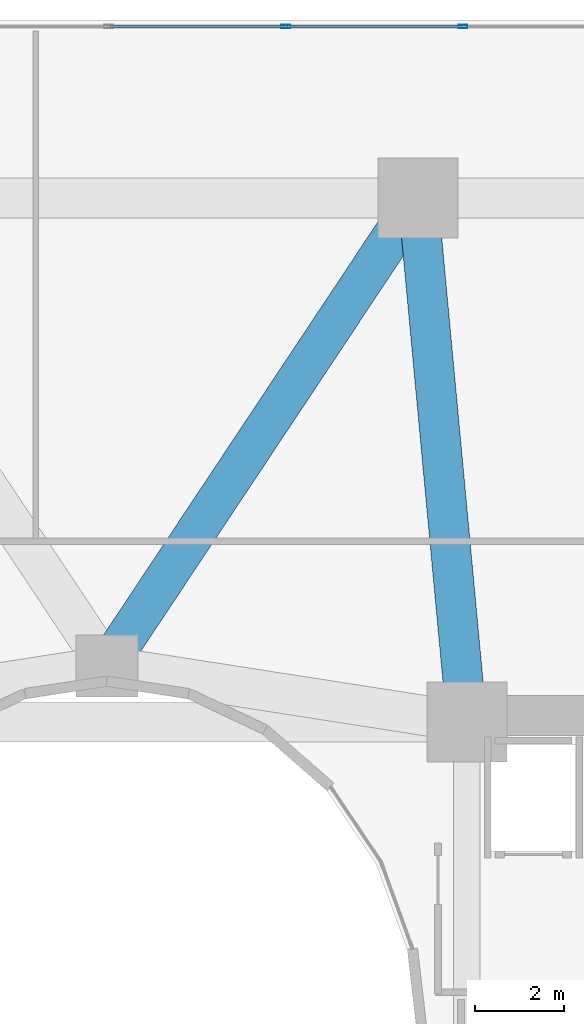
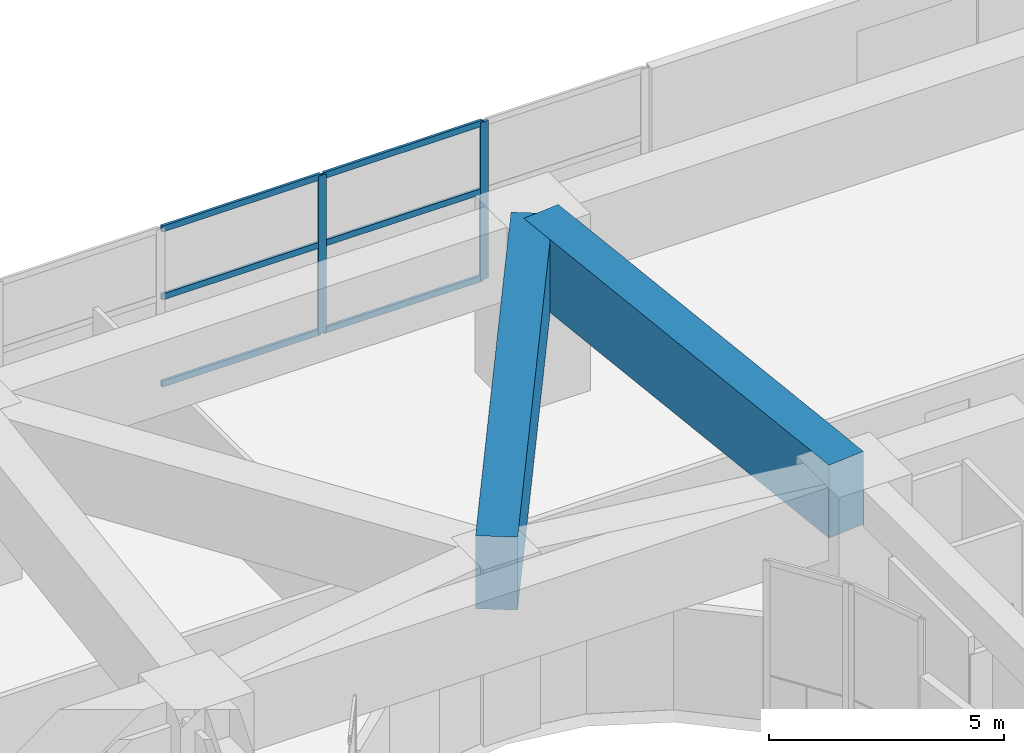
# One storey, part 15 of 27: 8 members, 2 beams, 1 element without a shape of its own.
"""IFC4 building model written with IfcOpenShell, lengths in metres."""

from ifc_helpers import new_model, si_unit, direction, frame, origin, origin_2d, place, context, subcontext, project, spatial, rectangle, hollow_rectangle, extrude, material, layer, layer_set, material_profile, profile_set, type_object, element, aggregate, save


model = new_model("IFC4")

# Units and contexts
model_context = context("Model", 3, precision=1e-05, world=origin(), true_north=direction((0.0, 1.0)))
body_context = subcontext(model_context, "Body", "Model", "MODEL_VIEW")
ifc_project = project(units=[si_unit("LENGTHUNIT", "METRE"), si_unit("AREAUNIT", "SQUARE_METRE"), si_unit("VOLUMEUNIT", "CUBIC_METRE"), si_unit("PLANEANGLEUNIT", "RADIAN"), si_unit("MASSUNIT", "GRAM", prefix="KILO")], contexts=[model_context])

# Site, building, storey
site_placement = place(None, origin())
site = spatial("IfcSite", under=ifc_project, at=site_placement, CompositionType="ELEMENT")
building_placement = place(site_placement, origin())
building = spatial("IfcBuilding", under=site, at=building_placement, Name="Solvane Sanctuary Tower", CompositionType="ELEMENT")
storey_placement = place(building_placement, frame((0.0, 0.0, 23.0)))
storey = spatial("IfcBuildingStorey", under=building, at=storey_placement, Name="L06", CompositionType="ELEMENT", Elevation=23.0)

# Beams
ifc_material_1 = material(Name="Concrete C60/75", Category="concrete")
ifc_material_profile_1 = material_profile(ifc_material_1, rectangle(XDim=0.89990234375, YDim=1.89990234375, at=origin_2d()), Name="RC900X1900")
ifc_profile_set_1 = profile_set([ifc_material_profile_1], Name="Concrete C60/75")
beam_type = type_object("IfcBeamType", Name="Beam B-XFER-POD RC900X1900", PredefinedType="BEAM", material=ifc_profile_set_1)
beam_1_placement = place(storey_placement, frame((38.833984375, 41.75, 3.64990234375), z_axis=(-0.553240888306, -0.833021319959, 0.0), x_axis=(0.833021319959, -0.553240888306, 0.0)))
element("IfcBeam", 1, at=beam_1_placement, inside=storey, type_object=beam_type, Name="L06 Podium Transfer Girder XP18", PredefinedType="BEAM", context=body_context, shape_type="SweptSolid", body=[
    extrude(rectangle(XDim=0.89990234375, YDim=1.89990234375, at=origin_2d()), origin(), (0.0, 0.0, 1.0), 12.052490234375),
])
beam_2_placement = place(storey_placement, frame((39.02783203125, 41.701416015625, 3.64990234375), z_axis=(0.092828489785, -0.995682113671, 0.0), x_axis=(0.995682113671, 0.092828489785, 0.0)))
element("IfcBeam", 2, at=beam_2_placement, inside=storey, type_object=beam_type, Name="L06 Podium Transfer Girder XP19", PredefinedType="BEAM", context=body_context, shape_type="SweptSolid", body=[
    extrude(rectangle(XDim=0.89990234375, YDim=1.89990234375, at=origin_2d()), origin(), (0.0, 0.0, 1.0), 11.251220703125),
])

# Curtain wall, members
ifc_material_2 = material(Name="Anodised Aluminium 6063-T6", Category="aluminium")
ifc_layer = layer(ifc_material_2, 0.159912109375, Name="Anodised Aluminium 6063-T6")
ifc_layer_set = layer_set([ifc_layer], Name="Anodised Aluminium 6063-T6")
curtain_wall_type = type_object("IfcCurtainWallType", Name="Curtain Wall CW-POD", PredefinedType="NOTDEFINED", material=ifc_layer_set)
curtain_wall_placement = place(storey_placement, origin())
curtain_wall = element("IfcCurtainWall", 3, at=curtain_wall_placement, inside=storey, type_object=curtain_wall_type, Name="L06 Sanctuary Curtain Wall N2", PredefinedType="NOTDEFINED")
ifc_material_profile_2 = material_profile(ifc_material_2, hollow_rectangle(XDim=0.074951171875, YDim=0.199951171875, WallThickness=0.00390625, at=origin_2d()), Name="ALU200X75X4")
ifc_profile_set_2 = profile_set([ifc_material_profile_2], Name="Anodised Aluminium 6063-T6")
member_type_1 = type_object("IfcMemberType", Name="Member M-CW-MUL-1 ALU200X75X4", PredefinedType="MULLION", material=ifc_profile_set_2)
member_1_placement = place(storey_placement, frame((40.013427734375, 45.85009765625, 0.0), z_axis=(0.0, 0.0, 1.0), x_axis=(0.0, -1.0, 0.0)))
member_1 = element("IfcMember", 4, at=member_1_placement, type_object=member_type_1, Name="CW-POD mullion 2", PredefinedType="MULLION", context=body_context, shape_type="SweptSolid", body=[
    extrude(hollow_rectangle(XDim=0.074951171875, YDim=0.199951171875, WallThickness=0.00390625, at=origin_2d()), origin(), (0.0, 0.0, 1.0), 4.10009765625),
])
member_2_placement = place(storey_placement, frame((36.026611328125, 45.85009765625, 0.0), z_axis=(0.0, 0.0, 1.0), x_axis=(0.0, -1.0, 0.0)))
member_2 = element("IfcMember", 5, at=member_2_placement, type_object=member_type_1, Name="CW-POD mullion 3", PredefinedType="MULLION", context=body_context, shape_type="SweptSolid", body=[
    extrude(hollow_rectangle(XDim=0.074951171875, YDim=0.199951171875, WallThickness=0.00390625, at=origin_2d()), origin(), (0.0, 0.0, 1.0), 4.10009765625),
])
ifc_material_profile_3 = material_profile(ifc_material_2, hollow_rectangle(XDim=0.06494140625, YDim=0.159912109375, WallThickness=0.00341796875, at=origin_2d()), Name="ALU160X65X3.5")
ifc_profile_set_3 = profile_set([ifc_material_profile_3], Name="Anodised Aluminium 6063-T6")
member_type_2 = type_object("IfcMemberType", Name="Member M-CW-TRN-1 ALU160X65X3.5", PredefinedType="USERDEFINED", material=ifc_profile_set_3)
member_3_placement = place(storey_placement, frame((39.975830078125, 45.85009765625, 0.032470703125), z_axis=(-1.0, 0.0, 0.0), x_axis=(0.0, -1.0, 0.0)))
member_3 = element("IfcMember", 6, at=member_3_placement, type_object=member_type_2, Name="CW-POD transom 2.1", ObjectType="TRANSOM", PredefinedType="USERDEFINED", context=body_context, shape_type="SweptSolid", body=[
    extrude(hollow_rectangle(XDim=0.06494140625, YDim=0.159912109375, WallThickness=0.00341796875, at=origin_2d()), origin(), (0.0, 0.0, 1.0), 3.91162109375),
])
member_4_placement = place(storey_placement, frame((39.975830078125, 45.85009765625, 2.300048828125), z_axis=(-1.0, 0.0, 0.0), x_axis=(0.0, -1.0, 0.0)))
member_4 = element("IfcMember", 7, at=member_4_placement, type_object=member_type_2, Name="CW-POD transom 2.2", ObjectType="TRANSOM", PredefinedType="USERDEFINED", context=body_context, shape_type="SweptSolid", body=[
    extrude(hollow_rectangle(XDim=0.06494140625, YDim=0.159912109375, WallThickness=0.00341796875, at=origin_2d()), origin(), (0.0, 0.0, 1.0), 3.91162109375),
])
member_5_placement = place(storey_placement, frame((39.975830078125, 45.85009765625, 4.0673828125), z_axis=(-1.0, 0.0, 0.0), x_axis=(0.0, -1.0, 0.0)))
member_5 = element("IfcMember", 8, at=member_5_placement, type_object=member_type_2, Name="CW-POD transom 2.3", ObjectType="TRANSOM", PredefinedType="USERDEFINED", context=body_context, shape_type="SweptSolid", body=[
    extrude(hollow_rectangle(XDim=0.06494140625, YDim=0.159912109375, WallThickness=0.00341796875, at=origin_2d()), origin(), (0.0, 0.0, 1.0), 3.91162109375),
])
member_6_placement = place(storey_placement, frame((35.9892578125, 45.85009765625, 0.032470703125), z_axis=(-1.0, 0.0, 0.0), x_axis=(0.0, -1.0, 0.0)))
member_6 = element("IfcMember", 9, at=member_6_placement, type_object=member_type_2, Name="CW-POD transom 3.1", ObjectType="TRANSOM", PredefinedType="USERDEFINED", context=body_context, shape_type="SweptSolid", body=[
    extrude(hollow_rectangle(XDim=0.06494140625, YDim=0.159912109375, WallThickness=0.00341796875, at=origin_2d()), origin(), (0.0, 0.0, 1.0), 3.911865234375),
])
member_7_placement = place(storey_placement, frame((35.9892578125, 45.85009765625, 2.300048828125), z_axis=(-1.0, 0.0, 0.0), x_axis=(0.0, -1.0, 0.0)))
member_7 = element("IfcMember", 10, at=member_7_placement, type_object=member_type_2, Name="CW-POD transom 3.2", ObjectType="TRANSOM", PredefinedType="USERDEFINED", context=body_context, shape_type="SweptSolid", body=[
    extrude(hollow_rectangle(XDim=0.06494140625, YDim=0.159912109375, WallThickness=0.00341796875, at=origin_2d()), origin(), (0.0, 0.0, 1.0), 3.911865234375),
])
member_8_placement = place(storey_placement, frame((35.9892578125, 45.85009765625, 4.0673828125), z_axis=(-1.0, 0.0, 0.0), x_axis=(0.0, -1.0, 0.0)))
member_8 = element("IfcMember", 11, at=member_8_placement, type_object=member_type_2, Name="CW-POD transom 3.3", ObjectType="TRANSOM", PredefinedType="USERDEFINED", context=body_context, shape_type="SweptSolid", body=[
    extrude(hollow_rectangle(XDim=0.06494140625, YDim=0.159912109375, WallThickness=0.00341796875, at=origin_2d()), origin(), (0.0, 0.0, 1.0), 3.911865234375),
])
aggregate(curtain_wall, [member_1, member_2, member_3, member_4, member_5, member_6, member_7, member_8])

save(model, "model.ifc")
